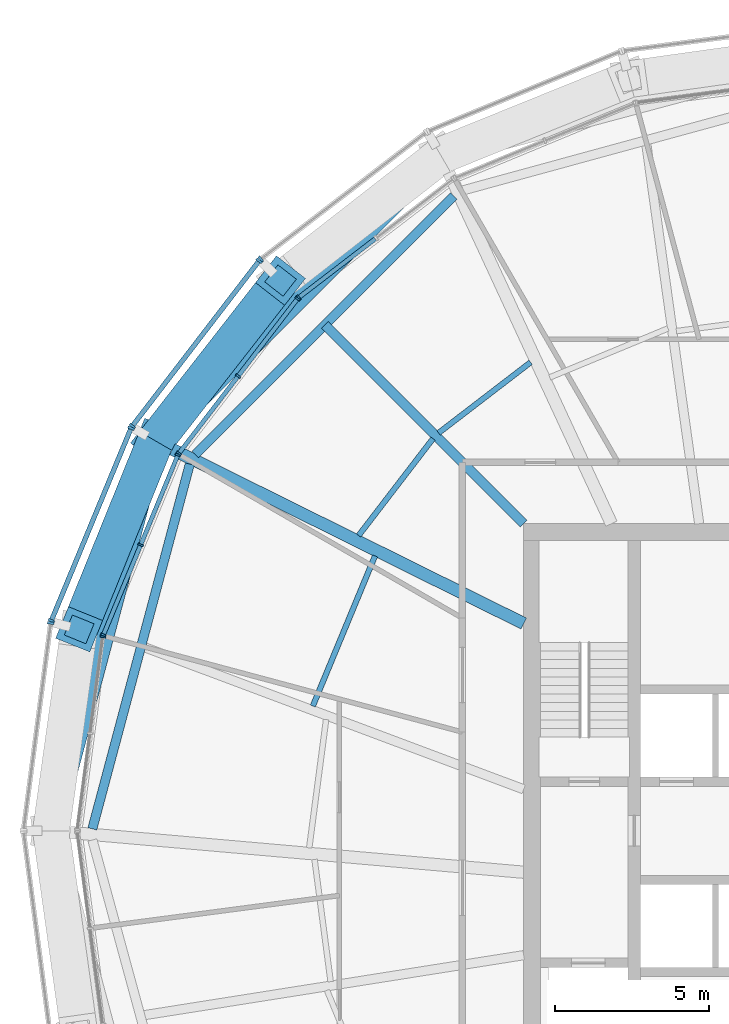
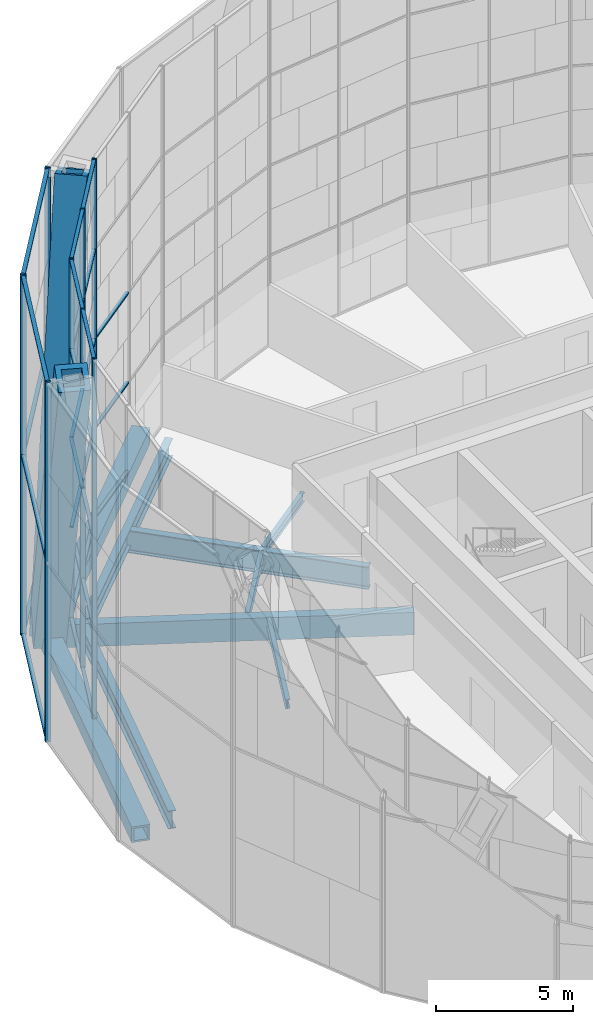
# One storey, part 8 of 29: 45 members, 9 beams, 8 elements without a shape of their own.
"""IFC4 building model written with IfcOpenShell, lengths in metres."""

from ifc_helpers import new_model, si_unit, direction, frame, origin, origin_2d, place, context, subcontext, project, spatial, rectangle, hollow_rectangle, i_section, extrude, material, material_profile, profile_set, type_object, element, aggregate, save


model = new_model("IFC4")

# Units and contexts
model_context = context("Model", 3, precision=1e-05, world=origin(), true_north=direction((0.0, 1.0)))
body_context = subcontext(model_context, "Body", "Model", "MODEL_VIEW")
ifc_project = project(units=[si_unit("LENGTHUNIT", "METRE"), si_unit("AREAUNIT", "SQUARE_METRE"), si_unit("VOLUMEUNIT", "CUBIC_METRE"), si_unit("PLANEANGLEUNIT", "RADIAN"), si_unit("MASSUNIT", "GRAM", prefix="KILO")], contexts=[model_context])

# Site, building, storey
site_placement = place(None, origin())
site = spatial("IfcSite", under=ifc_project, at=site_placement, CompositionType="ELEMENT")
building_placement = place(site_placement, origin())
building = spatial("IfcBuilding", under=site, at=building_placement, Name="Golbaran Civic Tower", CompositionType="ELEMENT")
storey_placement = place(building_placement, frame((0.0, 0.0, 118.0)))
storey = spatial("IfcBuildingStorey", under=building, at=storey_placement, Name="L28", CompositionType="ELEMENT", Elevation=118.0)

# Members
ifc_material_1 = material(Name="Steel S355", Category="steel")
ifc_material_profile_1 = material_profile(ifc_material_1, hollow_rectangle(XDim=1.199951171875, YDim=1.199951171875, WallThickness=0.219970703125, at=origin_2d()), Name="BOX 1200x1200x220")
ifc_profile_set_1 = profile_set([ifc_material_profile_1], Name="Steel S355")
member_type_1 = type_object("IfcMemberType", Name="DIAGRID DIAGONAL BOX 1200x1200x220", PredefinedType="BRACE", material=ifc_profile_set_1)
for number, where, z_axis, x_axis, name in (
    (1, (-21.990966796875, 12.696533203125, -0.7099609375), (-0.143541229562, -0.3544612565, 0.92398762603), (0.926884217271, -0.375347369478, 0.0), "Diagonal D06-05R L28-L32"),
    (2, (-21.990966796875, 12.696533203125, -0.7099609375), (0.235212402726, 0.301533756345, 0.923987293954), (-0.788481923563, 0.615057929153, 0.0), "Diagonal D06-05L L28-L32"),
):
    element("IfcMember", number, at=place(storey_placement, frame(where, z_axis=z_axis, x_axis=x_axis)), inside=storey, type_object=member_type_1, Name=name, PredefinedType="BRACE", context=body_context, shape_type="SweptSolid", body=[
        extrude(hollow_rectangle(XDim=1.199951171875, YDim=1.199951171875, WallThickness=0.219970703125, at=origin_2d()), origin(), (0.0, 0.0, 1.0), 17.316162109375),
    ])

# Beams
ifc_material_profile_2 = material_profile(ifc_material_1, hollow_rectangle(XDim=0.699951171875, YDim=0.699951171875, WallThickness=0.080078125, at=origin_2d()), Name="BOX 700x700x80")
ifc_profile_set_2 = profile_set([ifc_material_profile_2], Name="Steel S355")
beam_type_1 = type_object("IfcBeamType", Name="DIAGRID RING TIE BOX 700x700x80", PredefinedType="BEAM", material=ifc_profile_set_2)
beam_1_placement = place(storey_placement, frame((-12.696533203125, 21.990966796875, -0.7099609375), z_axis=(-0.707106781187, -0.707106781187, 0.0), x_axis=(0.707106781187, -0.707106781187, 0.0)))
element("IfcBeam", 3, at=beam_1_placement, inside=storey, type_object=beam_type_1, Name="Ring tie 120.00 L28", PredefinedType="BEAM", context=body_context, shape_type="SweptSolid", body=[
    extrude(hollow_rectangle(XDim=0.699951171875, YDim=0.699951171875, WallThickness=0.080078125, at=origin_2d()), origin(), (0.0, 0.0, 1.0), 13.144287109375),
])
beam_2_placement = place(storey_placement, frame((-21.990966796875, 12.696533203125, -0.7099609375), z_axis=(-0.258824282894, -0.965924422812, 0.0), x_axis=(0.965924422812, -0.258824282894, 0.0)))
element("IfcBeam", 4, at=beam_2_placement, inside=storey, type_object=beam_type_1, Name="Ring tie 150.00 L28", PredefinedType="BEAM", context=body_context, shape_type="SweptSolid", body=[
    extrude(hollow_rectangle(XDim=0.699951171875, YDim=0.699951171875, WallThickness=0.080078125, at=origin_2d()), origin(), (0.0, 0.0, 1.0), 13.14453125),
])
ifc_material_profile_3 = material_profile(ifc_material_1, i_section(OverallWidth=0.300048828125, OverallDepth=0.800048828125, WebThickness=0.017578125, FlangeThickness=0.032958984375, FilletRadius=0.030029296875, at=origin_2d()), Name="HEB 800")
ifc_profile_set_3 = profile_set([ifc_material_profile_3], Name="Steel S355")
beam_type_2 = type_object("IfcBeamType", Name="EDGE BEAM HEB 800", PredefinedType="BEAM", material=ifc_profile_set_3)
beam_3_placement = place(storey_placement, frame((-12.28369140625, 20.671630859375, -0.60009765625), z_axis=(-0.70660386413, -0.707609340806, 0.0), x_axis=(0.707609340806, -0.70660386413, 0.0)))
element("IfcBeam", 5, at=beam_3_placement, inside=storey, type_object=beam_type_2, Name="Edge beam 120.00 L28", PredefinedType="BEAM", context=body_context, shape_type="SweptSolid", body=[
    extrude(i_section(OverallWidth=0.300048828125, OverallDepth=0.800048828125, WebThickness=0.017578125, FlangeThickness=0.032958984375, FilletRadius=0.030029296875, at=origin_2d()), origin(), (0.0, 0.0, 1.0), 11.897705078125),
])
beam_4_placement = place(storey_placement, frame((-20.872314453125, 11.94091796875, -0.60009765625), z_axis=(-0.258174269589, -0.966098362757, 0.0), x_axis=(0.966098362757, -0.258174269589, 0.0)))
element("IfcBeam", 6, at=beam_4_placement, inside=storey, type_object=beam_type_2, Name="Edge beam 150.00 L28", PredefinedType="BEAM", context=body_context, shape_type="SweptSolid", body=[
    extrude(i_section(OverallWidth=0.300048828125, OverallDepth=0.800048828125, WebThickness=0.017578125, FlangeThickness=0.032958984375, FilletRadius=0.030029296875, at=origin_2d()), origin(), (0.0, 0.0, 1.0), 12.295166015625),
])
ifc_material_profile_4 = material_profile(ifc_material_1, i_section(OverallWidth=0.179931640625, OverallDepth=0.39990234375, WebThickness=0.008544921875, FlangeThickness=0.013427734375, FilletRadius=0.02099609375, at=origin_2d()), Name="IPE 400")
ifc_profile_set_4 = profile_set([ifc_material_profile_4], Name="Steel S355")
beam_type_3 = type_object("IfcBeamType", Name="FLOOR INFILL BEAM IPE 400", PredefinedType="BEAM", material=ifc_profile_set_4)
beam_5_placement = place(storey_placement, frame((-9.775146484375, 15.255126953125, -0.39990234375), z_axis=(-0.793327475399, -0.608795135309, 0.0), x_axis=(0.608795135309, -0.793327475399, 0.0)))
element("IfcBeam", 7, at=beam_5_placement, inside=storey, type_object=beam_type_3, Name="Infill beam 127.50 L28", PredefinedType="BEAM", context=body_context, shape_type="SweptSolid", body=[
    extrude(i_section(OverallWidth=0.179931640625, OverallDepth=0.39990234375, WebThickness=0.008544921875, FlangeThickness=0.013427734375, FilletRadius=0.02099609375, at=origin_2d()), origin(), (0.0, 0.0, 1.0), 3.77734375),
])
beam_6_placement = place(storey_placement, frame((-12.9541015625, 12.770263671875, -0.39990234375), z_axis=(-0.608757665926, -0.793356227792, 0.0), x_axis=(0.793356227792, -0.608757665926, 0.0)))
element("IfcBeam", 8, at=beam_6_placement, inside=storey, type_object=beam_type_3, Name="Infill beam 142.50 L28", PredefinedType="BEAM", context=body_context, shape_type="SweptSolid", body=[
    extrude(i_section(OverallWidth=0.179931640625, OverallDepth=0.39990234375, WebThickness=0.008544921875, FlangeThickness=0.013427734375, FilletRadius=0.02099609375, at=origin_2d()), origin(), (0.0, 0.0, 1.0), 3.9755859375),
])
beam_7_placement = place(storey_placement, frame((-14.841796875, 8.9501953125, -0.39990234375), z_axis=(-0.382691381559, -0.923876239807, 0.0), x_axis=(0.923876239807, -0.382691381559, 0.0)))
element("IfcBeam", 9, at=beam_7_placement, inside=storey, type_object=beam_type_3, Name="Infill beam 157.50 L28", PredefinedType="BEAM", context=body_context, shape_type="SweptSolid", body=[
    extrude(i_section(OverallWidth=0.179931640625, OverallDepth=0.39990234375, WebThickness=0.008544921875, FlangeThickness=0.013427734375, FilletRadius=0.02099609375, at=origin_2d()), origin(), (0.0, 0.0, 1.0), 5.291259765625),
])

# Curtain wall, member
ifc_material_2 = material(Name="Aluminium and glass", Category="aluminium")
curtain_wall_type_1 = type_object("IfcCurtainWallType", Name="INNER SKIN CURTAIN WALL", PredefinedType="NOTDEFINED", material=ifc_material_2)
curtain_wall_1_placement = place(storey_placement, origin())
curtain_wall_1 = element("IfcCurtainWall", 10, at=curtain_wall_1_placement, inside=storey, type_object=curtain_wall_type_1, Name="Inner skin L28 facet 9 CW1", ObjectType="INNER SKIN", PredefinedType="USERDEFINED")
ifc_material_3 = material(Name="Aluminium", Category="aluminium")
ifc_material_profile_5 = material_profile(ifc_material_3, rectangle(XDim=0.179931640625, YDim=0.06494140625, at=origin_2d()), Name="INNER SKIN CURTAIN WALL MULLION")
ifc_profile_set_5 = profile_set([ifc_material_profile_5], Name="Aluminium")
member_type_2 = type_object("IfcMemberType", Name="INNER SKIN CURTAIN WALL MULLION", PredefinedType="MULLION", material=ifc_profile_set_5)
member_1_placement = place(storey_placement, frame((-17.322265625, 17.367919921875, 0.0), z_axis=(0.0, 0.0, 1.0), x_axis=(0.608761428898, -0.793353340376, 0.0)))
member_1 = element("IfcMember", 11, at=member_1_placement, type_object=member_type_2, Name="CW1 mullion 3", PredefinedType="MULLION", context=body_context, shape_type="SweptSolid", body=[
    extrude(rectangle(XDim=0.179931640625, YDim=0.06494140625, at=origin_2d()), origin(), (0.0, 0.0, 1.0), 16.0),
])

# Curtain wall, members
curtain_wall_2_placement = place(storey_placement, origin())
curtain_wall_2 = element("IfcCurtainWall", 12, at=curtain_wall_2_placement, inside=storey, type_object=curtain_wall_type_1, Name="Inner skin L28 facet 10 CW1", ObjectType="INNER SKIN", PredefinedType="USERDEFINED")
member_2_placement = place(storey_placement, frame((-17.367919921875, 17.322265625, 0.0), z_axis=(0.0, 0.0, 1.0), x_axis=(0.793353340376, -0.608761428898, 0.0)))
member_2 = element("IfcMember", 13, at=member_2_placement, type_object=member_type_2, Name="CW1 mullion 1", PredefinedType="MULLION", context=body_context, shape_type="SweptSolid", body=[
    extrude(rectangle(XDim=0.179931640625, YDim=0.06494140625, at=origin_2d()), origin(), (0.0, 0.0, 1.0), 16.0),
])
member_3_placement = place(storey_placement, frame((-19.297607421875, 14.8076171875, 0.0), z_axis=(0.0, 0.0, 1.0), x_axis=(0.793353340376, -0.608761428898, 0.0)))
member_3 = element("IfcMember", 14, at=member_3_placement, type_object=member_type_2, Name="CW1 mullion 2", PredefinedType="MULLION", context=body_context, shape_type="SweptSolid", body=[
    extrude(rectangle(XDim=0.179931640625, YDim=0.06494140625, at=origin_2d()), origin(), (0.0, 0.0, 1.0), 16.0),
])
member_4_placement = place(storey_placement, frame((-21.227294921875, 12.292724609375, 0.0), z_axis=(0.0, 0.0, 1.0), x_axis=(0.793353340376, -0.608761428898, 0.0)))
member_4 = element("IfcMember", 15, at=member_4_placement, type_object=member_type_2, Name="CW1 mullion 3", PredefinedType="MULLION", context=body_context, shape_type="SweptSolid", body=[
    extrude(rectangle(XDim=0.179931640625, YDim=0.06494140625, at=origin_2d()), origin(), (0.0, 0.0, 1.0), 16.0),
])

curtain_wall_3_placement = place(storey_placement, origin())
curtain_wall_3 = element("IfcCurtainWall", 16, at=curtain_wall_3_placement, inside=storey, type_object=curtain_wall_type_1, Name="Inner skin L28 facet 11 CW1", ObjectType="INNER SKIN", PredefinedType="USERDEFINED")
member_5_placement = place(storey_placement, frame((-21.259521484375, 12.237060546875, 0.0), z_axis=(0.0, 0.0, 1.0), x_axis=(0.923879532485, -0.38268343243, 0.0)))
member_5 = element("IfcMember", 17, at=member_5_placement, type_object=member_type_2, Name="CW1 mullion 1", PredefinedType="MULLION", context=body_context, shape_type="SweptSolid", body=[
    extrude(rectangle(XDim=0.179931640625, YDim=0.06494140625, at=origin_2d()), origin(), (0.0, 0.0, 1.0), 16.0),
])
member_6_placement = place(storey_placement, frame((-22.47265625, 9.308349609375, 0.0), z_axis=(0.0, 0.0, 1.0), x_axis=(0.923879532485, -0.38268343243, 0.0)))
member_6 = element("IfcMember", 18, at=member_6_placement, type_object=member_type_2, Name="CW1 mullion 2", PredefinedType="MULLION", context=body_context, shape_type="SweptSolid", body=[
    extrude(rectangle(XDim=0.179931640625, YDim=0.06494140625, at=origin_2d()), origin(), (0.0, 0.0, 1.0), 16.0),
])
member_7_placement = place(storey_placement, frame((-23.685546875, 6.3798828125, 0.0), z_axis=(0.0, 0.0, 1.0), x_axis=(0.923879532485, -0.38268343243, 0.0)))
member_7 = element("IfcMember", 19, at=member_7_placement, type_object=member_type_2, Name="CW1 mullion 3", PredefinedType="MULLION", context=body_context, shape_type="SweptSolid", body=[
    extrude(rectangle(XDim=0.179931640625, YDim=0.06494140625, at=origin_2d()), origin(), (0.0, 0.0, 1.0), 16.0),
])

# Curtain wall, member
curtain_wall_4_placement = place(storey_placement, origin())
curtain_wall_4 = element("IfcCurtainWall", 20, at=curtain_wall_4_placement, inside=storey, type_object=curtain_wall_type_1, Name="Inner skin L28 facet 12 CW1", ObjectType="INNER SKIN", PredefinedType="USERDEFINED")
member_8_placement = place(storey_placement, frame((-23.7021484375, 6.317626953125, 0.0), z_axis=(0.0, 0.0, 1.0), x_axis=(0.991444861372, -0.130526192237, 0.0)))
member_8 = element("IfcMember", 21, at=member_8_placement, type_object=member_type_2, Name="CW1 mullion 1", PredefinedType="MULLION", context=body_context, shape_type="SweptSolid", body=[
    extrude(rectangle(XDim=0.179931640625, YDim=0.06494140625, at=origin_2d()), origin(), (0.0, 0.0, 1.0), 16.0),
])
aggregate(curtain_wall_4, [member_8])

# Member
ifc_material_profile_6 = material_profile(ifc_material_3, rectangle(XDim=0.139892578125, YDim=0.06494140625, at=origin_2d()), Name="INNER SKIN CURTAIN WALL TRANSOM")
ifc_profile_set_6 = profile_set([ifc_material_profile_6], Name="Aluminium")
member_type_3 = type_object("IfcMemberType", Name="INNER SKIN CURTAIN WALL TRANSOM", PredefinedType="USERDEFINED", material=ifc_profile_set_6)
member_9_placement = place(storey_placement, frame((-14.833251953125, 19.27783203125, 0.032470703125), z_axis=(-0.793365845574, -0.60874513146, 0.0), x_axis=(0.60874513146, -0.793365845574, 0.0)))
member_9 = element("IfcMember", 22, at=member_9_placement, type_object=member_type_3, Name="CW1 transom 2.1", ObjectType="TRANSOM", PredefinedType="USERDEFINED", context=body_context, shape_type="SweptSolid", body=[
    extrude(rectangle(XDim=0.139892578125, YDim=0.06494140625, at=origin_2d()), origin(), (0.0, 0.0, 1.0), 3.10498046875),
])

member_10_placement = place(storey_placement, frame((-14.833251953125, 19.27783203125, 4.0), z_axis=(-0.793365845574, -0.60874513146, 0.0), x_axis=(0.60874513146, -0.793365845574, 0.0)))
member_10 = element("IfcMember", 23, at=member_10_placement, type_object=member_type_3, Name="CW1 transom 2.2", ObjectType="TRANSOM", PredefinedType="USERDEFINED", context=body_context, shape_type="SweptSolid", body=[
    extrude(rectangle(XDim=0.139892578125, YDim=0.06494140625, at=origin_2d()), origin(), (0.0, 0.0, 1.0), 3.10498046875),
])

member_11_placement = place(storey_placement, frame((-14.833251953125, 19.27783203125, 8.0), z_axis=(-0.793365845574, -0.60874513146, 0.0), x_axis=(0.60874513146, -0.793365845574, 0.0)))
member_11 = element("IfcMember", 24, at=member_11_placement, type_object=member_type_3, Name="CW1 transom 2.3", ObjectType="TRANSOM", PredefinedType="USERDEFINED", context=body_context, shape_type="SweptSolid", body=[
    extrude(rectangle(XDim=0.139892578125, YDim=0.06494140625, at=origin_2d()), origin(), (0.0, 0.0, 1.0), 3.10498046875),
])

aggregate(curtain_wall_1, [member_1, member_9, member_10, member_11])

member_12_placement = place(storey_placement, frame((-17.3876953125, 17.296630859375, 0.032470703125), z_axis=(-0.60874513146, -0.793365845574, 0.0), x_axis=(0.793365845574, -0.60874513146, 0.0)))
member_12 = element("IfcMember", 25, at=member_12_placement, type_object=member_type_3, Name="CW1 transom 1.1", ObjectType="TRANSOM", PredefinedType="USERDEFINED", context=body_context, shape_type="SweptSolid", body=[
    extrude(rectangle(XDim=0.139892578125, YDim=0.06494140625, at=origin_2d()), origin(), (0.0, 0.0, 1.0), 3.10498046875),
])

member_13_placement = place(storey_placement, frame((-17.3876953125, 17.296630859375, 4.0), z_axis=(-0.60874513146, -0.793365845574, 0.0), x_axis=(0.793365845574, -0.60874513146, 0.0)))
member_13 = element("IfcMember", 26, at=member_13_placement, type_object=member_type_3, Name="CW1 transom 1.2", ObjectType="TRANSOM", PredefinedType="USERDEFINED", context=body_context, shape_type="SweptSolid", body=[
    extrude(rectangle(XDim=0.139892578125, YDim=0.06494140625, at=origin_2d()), origin(), (0.0, 0.0, 1.0), 3.10498046875),
])

member_14_placement = place(storey_placement, frame((-17.3876953125, 17.296630859375, 8.0), z_axis=(-0.60874513146, -0.793365845574, 0.0), x_axis=(0.793365845574, -0.60874513146, 0.0)))
member_14 = element("IfcMember", 27, at=member_14_placement, type_object=member_type_3, Name="CW1 transom 1.3", ObjectType="TRANSOM", PredefinedType="USERDEFINED", context=body_context, shape_type="SweptSolid", body=[
    extrude(rectangle(XDim=0.139892578125, YDim=0.06494140625, at=origin_2d()), origin(), (0.0, 0.0, 1.0), 3.10498046875),
])

member_15_placement = place(storey_placement, frame((-17.3876953125, 17.296630859375, 12.0), z_axis=(-0.60874513146, -0.793365845574, 0.0), x_axis=(0.793365845574, -0.60874513146, 0.0)))
member_15 = element("IfcMember", 28, at=member_15_placement, type_object=member_type_3, Name="CW1 transom 1.4", ObjectType="TRANSOM", PredefinedType="USERDEFINED", context=body_context, shape_type="SweptSolid", body=[
    extrude(rectangle(XDim=0.139892578125, YDim=0.06494140625, at=origin_2d()), origin(), (0.0, 0.0, 1.0), 3.10498046875),
])

member_16_placement = place(storey_placement, frame((-17.3876953125, 17.296630859375, 15.967529296875), z_axis=(-0.60874513146, -0.793365845574, 0.0), x_axis=(0.793365845574, -0.60874513146, 0.0)))
member_16 = element("IfcMember", 29, at=member_16_placement, type_object=member_type_3, Name="CW1 transom 1.5", ObjectType="TRANSOM", PredefinedType="USERDEFINED", context=body_context, shape_type="SweptSolid", body=[
    extrude(rectangle(XDim=0.139892578125, YDim=0.06494140625, at=origin_2d()), origin(), (0.0, 0.0, 1.0), 3.10498046875),
])

member_17_placement = place(storey_placement, frame((-19.3173828125, 14.78173828125, 0.032470703125), z_axis=(-0.608783107568, -0.793336705277, 0.0), x_axis=(0.793336705277, -0.608783107568, 0.0)))
member_17 = element("IfcMember", 30, at=member_17_placement, type_object=member_type_3, Name="CW1 transom 2.1", ObjectType="TRANSOM", PredefinedType="USERDEFINED", context=body_context, shape_type="SweptSolid", body=[
    extrude(rectangle(XDim=0.139892578125, YDim=0.06494140625, at=origin_2d()), origin(), (0.0, 0.0, 1.0), 3.104736328125),
])

member_18_placement = place(storey_placement, frame((-19.3173828125, 14.78173828125, 4.0), z_axis=(-0.608783107568, -0.793336705277, 0.0), x_axis=(0.793336705277, -0.608783107568, 0.0)))
member_18 = element("IfcMember", 31, at=member_18_placement, type_object=member_type_3, Name="CW1 transom 2.2", ObjectType="TRANSOM", PredefinedType="USERDEFINED", context=body_context, shape_type="SweptSolid", body=[
    extrude(rectangle(XDim=0.139892578125, YDim=0.06494140625, at=origin_2d()), origin(), (0.0, 0.0, 1.0), 3.104736328125),
])

member_19_placement = place(storey_placement, frame((-19.3173828125, 14.78173828125, 8.0), z_axis=(-0.608783107568, -0.793336705277, 0.0), x_axis=(0.793336705277, -0.608783107568, 0.0)))
member_19 = element("IfcMember", 32, at=member_19_placement, type_object=member_type_3, Name="CW1 transom 2.3", ObjectType="TRANSOM", PredefinedType="USERDEFINED", context=body_context, shape_type="SweptSolid", body=[
    extrude(rectangle(XDim=0.139892578125, YDim=0.06494140625, at=origin_2d()), origin(), (0.0, 0.0, 1.0), 3.104736328125),
])

member_20_placement = place(storey_placement, frame((-19.3173828125, 14.78173828125, 12.0), z_axis=(-0.608783107568, -0.793336705277, 0.0), x_axis=(0.793336705277, -0.608783107568, 0.0)))
member_20 = element("IfcMember", 33, at=member_20_placement, type_object=member_type_3, Name="CW1 transom 2.4", ObjectType="TRANSOM", PredefinedType="USERDEFINED", context=body_context, shape_type="SweptSolid", body=[
    extrude(rectangle(XDim=0.139892578125, YDim=0.06494140625, at=origin_2d()), origin(), (0.0, 0.0, 1.0), 3.104736328125),
])

member_21_placement = place(storey_placement, frame((-19.3173828125, 14.78173828125, 15.967529296875), z_axis=(-0.608783107568, -0.793336705277, 0.0), x_axis=(0.793336705277, -0.608783107568, 0.0)))
member_21 = element("IfcMember", 34, at=member_21_placement, type_object=member_type_3, Name="CW1 transom 2.5", ObjectType="TRANSOM", PredefinedType="USERDEFINED", context=body_context, shape_type="SweptSolid", body=[
    extrude(rectangle(XDim=0.139892578125, YDim=0.06494140625, at=origin_2d()), origin(), (0.0, 0.0, 1.0), 3.104736328125),
])

aggregate(curtain_wall_2, [member_2, member_3, member_4, member_12, member_13, member_14, member_15, member_16, member_17, member_18, member_19, member_20, member_21])

member_22_placement = place(storey_placement, frame((-21.27197265625, 12.20703125, 0.032470703125), z_axis=(-0.382682804327, -0.923879792653, 0.0), x_axis=(0.923879792653, -0.382682804327, 0.0)))
member_22 = element("IfcMember", 35, at=member_22_placement, type_object=member_type_3, Name="CW1 transom 1.1", ObjectType="TRANSOM", PredefinedType="USERDEFINED", context=body_context, shape_type="SweptSolid", body=[
    extrude(rectangle(XDim=0.139892578125, YDim=0.06494140625, at=origin_2d()), origin(), (0.0, 0.0, 1.0), 3.10498046875),
])

member_23_placement = place(storey_placement, frame((-21.27197265625, 12.20703125, 4.0), z_axis=(-0.382682804327, -0.923879792653, 0.0), x_axis=(0.923879792653, -0.382682804327, 0.0)))
member_23 = element("IfcMember", 36, at=member_23_placement, type_object=member_type_3, Name="CW1 transom 1.2", ObjectType="TRANSOM", PredefinedType="USERDEFINED", context=body_context, shape_type="SweptSolid", body=[
    extrude(rectangle(XDim=0.139892578125, YDim=0.06494140625, at=origin_2d()), origin(), (0.0, 0.0, 1.0), 3.10498046875),
])

member_24_placement = place(storey_placement, frame((-21.27197265625, 12.20703125, 8.0), z_axis=(-0.382682804327, -0.923879792653, 0.0), x_axis=(0.923879792653, -0.382682804327, 0.0)))
member_24 = element("IfcMember", 37, at=member_24_placement, type_object=member_type_3, Name="CW1 transom 1.3", ObjectType="TRANSOM", PredefinedType="USERDEFINED", context=body_context, shape_type="SweptSolid", body=[
    extrude(rectangle(XDim=0.139892578125, YDim=0.06494140625, at=origin_2d()), origin(), (0.0, 0.0, 1.0), 3.10498046875),
])

member_25_placement = place(storey_placement, frame((-21.27197265625, 12.20703125, 12.0), z_axis=(-0.382682804327, -0.923879792653, 0.0), x_axis=(0.923879792653, -0.382682804327, 0.0)))
member_25 = element("IfcMember", 38, at=member_25_placement, type_object=member_type_3, Name="CW1 transom 1.4", ObjectType="TRANSOM", PredefinedType="USERDEFINED", context=body_context, shape_type="SweptSolid", body=[
    extrude(rectangle(XDim=0.139892578125, YDim=0.06494140625, at=origin_2d()), origin(), (0.0, 0.0, 1.0), 3.10498046875),
])

member_26_placement = place(storey_placement, frame((-21.27197265625, 12.20703125, 15.967529296875), z_axis=(-0.382682804327, -0.923879792653, 0.0), x_axis=(0.923879792653, -0.382682804327, 0.0)))
member_26 = element("IfcMember", 39, at=member_26_placement, type_object=member_type_3, Name="CW1 transom 1.5", ObjectType="TRANSOM", PredefinedType="USERDEFINED", context=body_context, shape_type="SweptSolid", body=[
    extrude(rectangle(XDim=0.139892578125, YDim=0.06494140625, at=origin_2d()), origin(), (0.0, 0.0, 1.0), 3.10498046875),
])

member_27_placement = place(storey_placement, frame((-22.48486328125, 9.2783203125, 0.032470703125), z_axis=(-0.382710605355, -0.923868276622, 0.0), x_axis=(0.923868276622, -0.382710605355, 0.0)))
member_27 = element("IfcMember", 40, at=member_27_placement, type_object=member_type_3, Name="CW1 transom 2.1", ObjectType="TRANSOM", PredefinedType="USERDEFINED", context=body_context, shape_type="SweptSolid", body=[
    extrude(rectangle(XDim=0.139892578125, YDim=0.06494140625, at=origin_2d()), origin(), (0.0, 0.0, 1.0), 3.104736328125),
])

member_28_placement = place(storey_placement, frame((-22.48486328125, 9.2783203125, 4.0), z_axis=(-0.382710605355, -0.923868276622, 0.0), x_axis=(0.923868276622, -0.382710605355, 0.0)))
member_28 = element("IfcMember", 41, at=member_28_placement, type_object=member_type_3, Name="CW1 transom 2.2", ObjectType="TRANSOM", PredefinedType="USERDEFINED", context=body_context, shape_type="SweptSolid", body=[
    extrude(rectangle(XDim=0.139892578125, YDim=0.06494140625, at=origin_2d()), origin(), (0.0, 0.0, 1.0), 3.104736328125),
])

member_29_placement = place(storey_placement, frame((-22.48486328125, 9.2783203125, 8.0), z_axis=(-0.382710605355, -0.923868276622, 0.0), x_axis=(0.923868276622, -0.382710605355, 0.0)))
member_29 = element("IfcMember", 42, at=member_29_placement, type_object=member_type_3, Name="CW1 transom 2.3", ObjectType="TRANSOM", PredefinedType="USERDEFINED", context=body_context, shape_type="SweptSolid", body=[
    extrude(rectangle(XDim=0.139892578125, YDim=0.06494140625, at=origin_2d()), origin(), (0.0, 0.0, 1.0), 3.104736328125),
])

member_30_placement = place(storey_placement, frame((-22.48486328125, 9.2783203125, 12.0), z_axis=(-0.382710605355, -0.923868276622, 0.0), x_axis=(0.923868276622, -0.382710605355, 0.0)))
member_30 = element("IfcMember", 43, at=member_30_placement, type_object=member_type_3, Name="CW1 transom 2.4", ObjectType="TRANSOM", PredefinedType="USERDEFINED", context=body_context, shape_type="SweptSolid", body=[
    extrude(rectangle(XDim=0.139892578125, YDim=0.06494140625, at=origin_2d()), origin(), (0.0, 0.0, 1.0), 3.104736328125),
])

member_31_placement = place(storey_placement, frame((-22.48486328125, 9.2783203125, 15.967529296875), z_axis=(-0.382710605355, -0.923868276622, 0.0), x_axis=(0.923868276622, -0.382710605355, 0.0)))
member_31 = element("IfcMember", 44, at=member_31_placement, type_object=member_type_3, Name="CW1 transom 2.5", ObjectType="TRANSOM", PredefinedType="USERDEFINED", context=body_context, shape_type="SweptSolid", body=[
    extrude(rectangle(XDim=0.139892578125, YDim=0.06494140625, at=origin_2d()), origin(), (0.0, 0.0, 1.0), 3.104736328125),
])

aggregate(curtain_wall_3, [member_5, member_6, member_7, member_22, member_23, member_24, member_25, member_26, member_27, member_28, member_29, member_30, member_31])

# Curtain wall, member
curtain_wall_type_2 = type_object("IfcCurtainWallType", Name="OUTER SKIN TERRACOTTA SCREEN", PredefinedType="NOTDEFINED", material=ifc_material_2)
curtain_wall_5_placement = place(storey_placement, origin())
curtain_wall_5 = element("IfcCurtainWall", 45, at=curtain_wall_5_placement, inside=storey, type_object=curtain_wall_type_2, Name="Outer skin L28 facet 9 CW3", ObjectType="OUTER SKIN", PredefinedType="USERDEFINED")
ifc_material_profile_7 = material_profile(ifc_material_3, rectangle(XDim=0.219970703125, YDim=0.080078125, at=origin_2d()), Name="OUTER SKIN TERRACOTTA SCREEN MULLION")
ifc_profile_set_7 = profile_set([ifc_material_profile_7], Name="Aluminium")
member_type_4 = type_object("IfcMemberType", Name="OUTER SKIN TERRACOTTA SCREEN MULLION", PredefinedType="MULLION", material=ifc_profile_set_7)
member_32_placement = place(storey_placement, frame((-18.560302734375, 18.6162109375, -0.7099609375), z_axis=(0.0, 0.0, 1.0), x_axis=(0.608761428995, -0.793353340302, 0.0)))
member_32 = element("IfcMember", 46, at=member_32_placement, type_object=member_type_4, Name="CW3 mullion 2", PredefinedType="MULLION", context=body_context, shape_type="SweptSolid", body=[
    extrude(rectangle(XDim=0.219970703125, YDim=0.080078125, at=origin_2d()), origin(), (0.0, 0.0, 1.0), 16.0),
])
aggregate(curtain_wall_5, [member_32])

# Curtain wall, members
curtain_wall_6_placement = place(storey_placement, origin())
curtain_wall_6 = element("IfcCurtainWall", 47, at=curtain_wall_6_placement, inside=storey, type_object=curtain_wall_type_2, Name="Outer skin L28 facet 10 CW3", ObjectType="OUTER SKIN", PredefinedType="USERDEFINED")
member_33_placement = place(storey_placement, frame((-18.6162109375, 18.560302734375, -0.7099609375), z_axis=(0.0, 0.0, 1.0), x_axis=(0.793353340302, -0.608761428995, 0.0)))
member_33 = element("IfcMember", 48, at=member_33_placement, type_object=member_type_4, Name="CW3 mullion 1", PredefinedType="MULLION", context=body_context, shape_type="SweptSolid", body=[
    extrude(rectangle(XDim=0.219970703125, YDim=0.080078125, at=origin_2d()), origin(), (0.0, 0.0, 1.0), 16.0),
])
member_34_placement = place(storey_placement, frame((-22.74609375, 13.17822265625, -0.7099609375), z_axis=(0.0, 0.0, 1.0), x_axis=(0.793353340302, -0.608761428995, 0.0)))
member_34 = element("IfcMember", 49, at=member_34_placement, type_object=member_type_4, Name="CW3 mullion 2", PredefinedType="MULLION", context=body_context, shape_type="SweptSolid", body=[
    extrude(rectangle(XDim=0.219970703125, YDim=0.080078125, at=origin_2d()), origin(), (0.0, 0.0, 1.0), 16.0),
])

curtain_wall_7_placement = place(storey_placement, origin())
curtain_wall_7 = element("IfcCurtainWall", 50, at=curtain_wall_7_placement, inside=storey, type_object=curtain_wall_type_2, Name="Outer skin L28 facet 11 CW3", ObjectType="OUTER SKIN", PredefinedType="USERDEFINED")
member_35_placement = place(storey_placement, frame((-22.78564453125, 13.109619140625, -0.7099609375), z_axis=(0.0, 0.0, 1.0), x_axis=(0.923879532505, -0.382683432381, 0.0)))
member_35 = element("IfcMember", 51, at=member_35_placement, type_object=member_type_4, Name="CW3 mullion 1", PredefinedType="MULLION", context=body_context, shape_type="SweptSolid", body=[
    extrude(rectangle(XDim=0.219970703125, YDim=0.080078125, at=origin_2d()), origin(), (0.0, 0.0, 1.0), 16.0),
])
member_36_placement = place(storey_placement, frame((-25.3818359375, 6.842041015625, -0.7099609375), z_axis=(0.0, 0.0, 1.0), x_axis=(0.923879532505, -0.382683432381, 0.0)))
member_36 = element("IfcMember", 52, at=member_36_placement, type_object=member_type_4, Name="CW3 mullion 2", PredefinedType="MULLION", context=body_context, shape_type="SweptSolid", body=[
    extrude(rectangle(XDim=0.219970703125, YDim=0.080078125, at=origin_2d()), origin(), (0.0, 0.0, 1.0), 16.0),
])

# Curtain wall, member
curtain_wall_8_placement = place(storey_placement, origin())
curtain_wall_8 = element("IfcCurtainWall", 53, at=curtain_wall_8_placement, inside=storey, type_object=curtain_wall_type_2, Name="Outer skin L28 facet 12 CW3", ObjectType="OUTER SKIN", PredefinedType="USERDEFINED")
member_37_placement = place(storey_placement, frame((-25.40234375, 6.765380859375, -0.7099609375), z_axis=(0.0, 0.0, 1.0), x_axis=(0.991444861381, -0.130526192168, 0.0)))
member_37 = element("IfcMember", 54, at=member_37_placement, type_object=member_type_4, Name="CW3 mullion 1", PredefinedType="MULLION", context=body_context, shape_type="SweptSolid", body=[
    extrude(rectangle(XDim=0.219970703125, YDim=0.080078125, at=origin_2d()), origin(), (0.0, 0.0, 1.0), 16.0),
])
aggregate(curtain_wall_8, [member_37])

# Member
ifc_material_profile_8 = material_profile(ifc_material_3, rectangle(XDim=0.159912109375, YDim=0.080078125, at=origin_2d()), Name="OUTER SKIN TERRACOTTA SCREEN TRANSOM")
ifc_profile_set_8 = profile_set([ifc_material_profile_8], Name="Aluminium")
member_type_5 = type_object("IfcMemberType", Name="OUTER SKIN TERRACOTTA SCREEN TRANSOM", PredefinedType="USERDEFINED", material=ifc_profile_set_8)
member_38_placement = place(storey_placement, frame((-18.640625, 18.528564453125, -0.669921875), z_axis=(-0.608756422165, -0.793357182153, 0.0), x_axis=(0.793357182153, -0.608756422165, 0.0)))
member_38 = element("IfcMember", 55, at=member_38_placement, type_object=member_type_5, Name="CW3 transom 1.1", ObjectType="TRANSOM", PredefinedType="USERDEFINED", context=body_context, shape_type="SweptSolid", body=[
    extrude(rectangle(XDim=0.159912109375, YDim=0.080078125, at=origin_2d()), origin(), (0.0, 0.0, 1.0), 6.703857421875),
])

member_39_placement = place(storey_placement, frame((-18.640625, 18.528564453125, 7.2900390625), z_axis=(-0.608756422165, -0.793357182153, 0.0), x_axis=(0.793357182153, -0.608756422165, 0.0)))
member_39 = element("IfcMember", 56, at=member_39_placement, type_object=member_type_5, Name="CW3 transom 1.2", ObjectType="TRANSOM", PredefinedType="USERDEFINED", context=body_context, shape_type="SweptSolid", body=[
    extrude(rectangle(XDim=0.159912109375, YDim=0.080078125, at=origin_2d()), origin(), (0.0, 0.0, 1.0), 6.703857421875),
])

member_40_placement = place(storey_placement, frame((-18.640625, 18.528564453125, 15.25), z_axis=(-0.608756422165, -0.793357182153, 0.0), x_axis=(0.793357182153, -0.608756422165, 0.0)))
member_40 = element("IfcMember", 57, at=member_40_placement, type_object=member_type_5, Name="CW3 transom 1.3", ObjectType="TRANSOM", PredefinedType="USERDEFINED", context=body_context, shape_type="SweptSolid", body=[
    extrude(rectangle(XDim=0.159912109375, YDim=0.080078125, at=origin_2d()), origin(), (0.0, 0.0, 1.0), 6.703857421875),
])

aggregate(curtain_wall_6, [member_33, member_34, member_38, member_39, member_40])

member_41_placement = place(storey_placement, frame((-22.801025390625, 13.072509765625, -0.669921875), z_axis=(-0.382690592899, -0.923876566489, 0.0), x_axis=(0.923876566489, -0.382690592899, 0.0)))
member_41 = element("IfcMember", 58, at=member_41_placement, type_object=member_type_5, Name="CW3 transom 1.1", ObjectType="TRANSOM", PredefinedType="USERDEFINED", context=body_context, shape_type="SweptSolid", body=[
    extrude(rectangle(XDim=0.159912109375, YDim=0.080078125, at=origin_2d()), origin(), (0.0, 0.0, 1.0), 6.70361328125),
])

member_42_placement = place(storey_placement, frame((-22.801025390625, 13.072509765625, 7.2900390625), z_axis=(-0.382690592899, -0.923876566489, 0.0), x_axis=(0.923876566489, -0.382690592899, 0.0)))
member_42 = element("IfcMember", 59, at=member_42_placement, type_object=member_type_5, Name="CW3 transom 1.2", ObjectType="TRANSOM", PredefinedType="USERDEFINED", context=body_context, shape_type="SweptSolid", body=[
    extrude(rectangle(XDim=0.159912109375, YDim=0.080078125, at=origin_2d()), origin(), (0.0, 0.0, 1.0), 6.70361328125),
])

member_43_placement = place(storey_placement, frame((-22.801025390625, 13.072509765625, 15.25), z_axis=(-0.382690592899, -0.923876566489, 0.0), x_axis=(0.923876566489, -0.382690592899, 0.0)))
member_43 = element("IfcMember", 60, at=member_43_placement, type_object=member_type_5, Name="CW3 transom 1.3", ObjectType="TRANSOM", PredefinedType="USERDEFINED", context=body_context, shape_type="SweptSolid", body=[
    extrude(rectangle(XDim=0.159912109375, YDim=0.080078125, at=origin_2d()), origin(), (0.0, 0.0, 1.0), 6.70361328125),
])

aggregate(curtain_wall_7, [member_35, member_36, member_41, member_42, member_43])

# Beams
ifc_material_profile_9 = material_profile(ifc_material_1, hollow_rectangle(XDim=0.39990234375, YDim=1.0, WallThickness=0.0400390625, at=origin_2d()), Name="BOX 1000x400x40")
ifc_profile_set_9 = profile_set([ifc_material_profile_9], Name="Steel S355")
beam_type_4 = type_object("IfcBeamType", Name="RADIAL FLOOR BEAM BOX 1000x400x40", PredefinedType="BEAM", material=ifc_profile_set_9)
beam_8_placement = place(storey_placement, frame((-10.0, 6.75, -0.7099609375), z_axis=(-0.895890417993, 0.444275093774, 0.0), x_axis=(-0.444275093774, -0.895890417993, 0.0)))
element("IfcBeam", 61, at=beam_8_placement, inside=storey, type_object=beam_type_4, Name="Radial beam 150.00 L28", PredefinedType="BEAM", context=body_context, shape_type="SweptSolid", body=[
    extrude(hollow_rectangle(XDim=0.39990234375, YDim=1.0, WallThickness=0.0400390625, at=origin_2d()), origin(), (0.0, 0.0, 1.0), 12.77197265625),
])
ifc_material_profile_10 = material_profile(ifc_material_1, i_section(OverallWidth=0.300048828125, OverallDepth=1.0, WebThickness=0.01904296875, FlangeThickness=0.035888671875, FilletRadius=0.030029296875, at=origin_2d()), Name="HEB 1000")
ifc_profile_set_10 = profile_set([ifc_material_profile_10], Name="Steel S355")
beam_type_5 = type_object("IfcBeamType", Name="SECONDARY FLOOR BEAM HEB 1000", PredefinedType="BEAM", material=ifc_profile_set_10)
beam_9_placement = place(storey_placement, frame((-10.0, 10.0, -0.7099609375), z_axis=(-0.707106781187, 0.707106781187, 0.0), x_axis=(-0.707106781187, -0.707106781187, 0.0)))
element("IfcBeam", 62, at=beam_9_placement, inside=storey, type_object=beam_type_5, Name="Secondary beam 135.00 L28", PredefinedType="BEAM", context=body_context, shape_type="SweptSolid", body=[
    extrude(i_section(OverallWidth=0.300048828125, OverallDepth=1.0, WebThickness=0.01904296875, FlangeThickness=0.035888671875, FilletRadius=0.030029296875, at=origin_2d()), origin(), (0.0, 0.0, 1.0), 9.156494140625),
])

save(model, "model.ifc")
